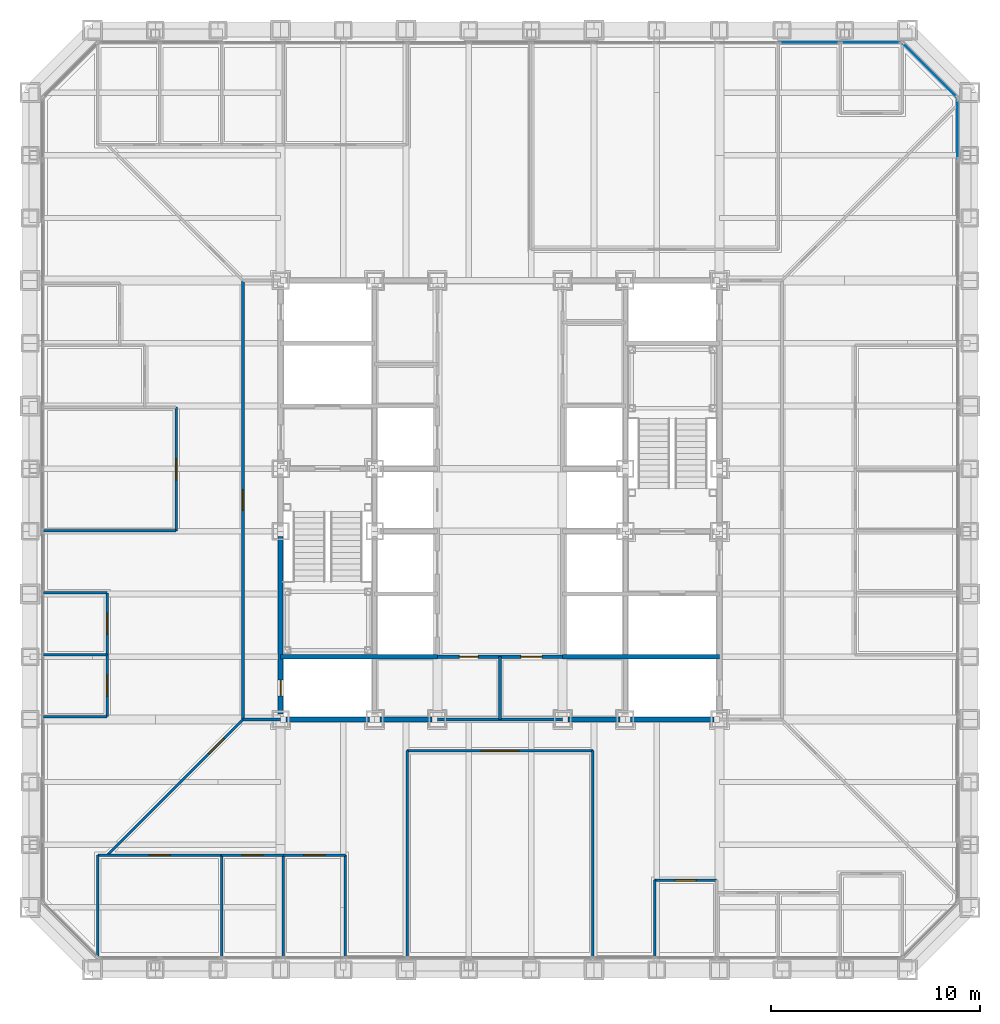
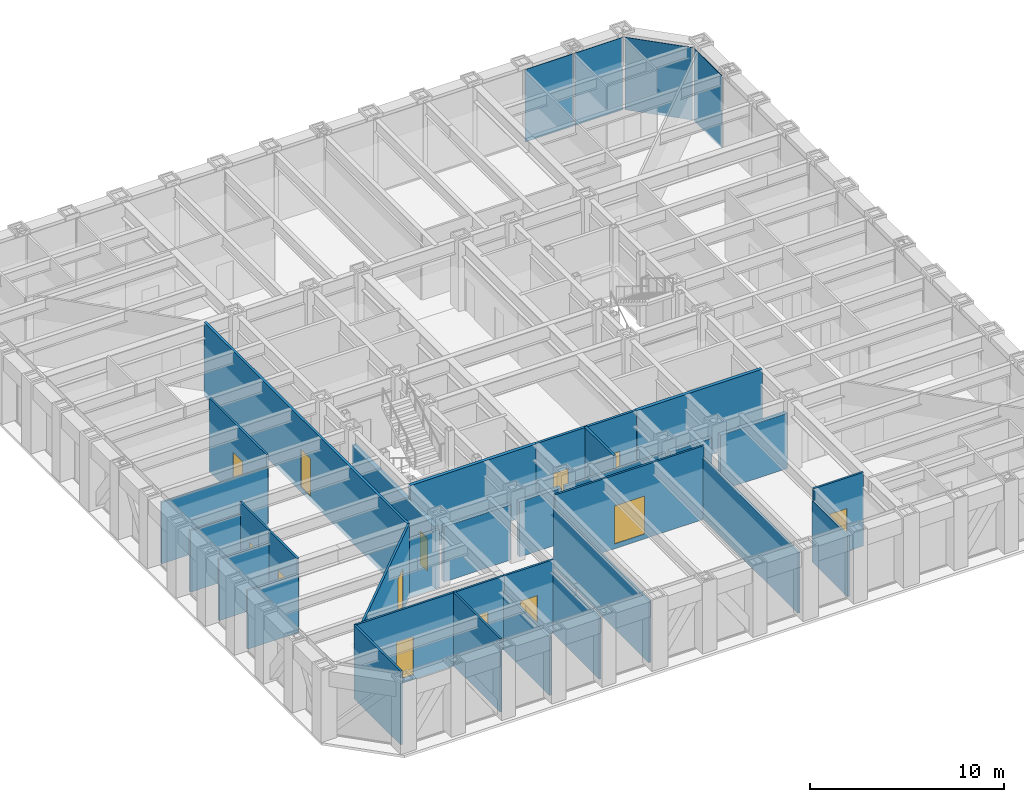
# One storey, part 8 of 17: 32 walls, 13 doors, 4 plates, 13 openings, 3 elements without a shape of their own.
"""IFC4 building model written with IfcOpenShell, lengths in metres."""

from ifc_helpers import new_model, si_unit, direction, frame, frame_2d, origin, origin_2d, place, context, subcontext, project, spatial, rectangle, extrude, material, layer, layer_set, type_object, element, fill, aggregate, save


model = new_model("IFC4")

# Units and contexts
model_context = context("Model", 3, precision=1e-05, world=origin(), true_north=direction((0.0, 1.0)))
body_context = subcontext(model_context, "Body", "Model", "MODEL_VIEW")
ifc_project = project(units=[si_unit("LENGTHUNIT", "METRE"), si_unit("AREAUNIT", "SQUARE_METRE"), si_unit("VOLUMEUNIT", "CUBIC_METRE"), si_unit("PLANEANGLEUNIT", "RADIAN"), si_unit("MASSUNIT", "GRAM", prefix="KILO")], contexts=[model_context])

# Site, building, storey
site_placement = place(None, origin())
site = spatial("IfcSite", under=ifc_project, at=site_placement, CompositionType="ELEMENT")
building_placement = place(site_placement, origin())
building = spatial("IfcBuilding", under=site, at=building_placement, Name="Chuquiago Exchange Tower", CompositionType="ELEMENT")
storey_placement = place(building_placement, frame((0.0, 0.0, 91.800048828125)))
storey = spatial("IfcBuildingStorey", under=building, at=storey_placement, Name="L19", CompositionType="ELEMENT", Elevation=91.800048828125)

# Curtain wall, plate
ifc_material_1 = material(Name="Aluminium curtain wall system", Category="aluminium")
ifc_layer_1 = layer(ifc_material_1, 0.25)
ifc_layer_set_1 = layer_set([ifc_layer_1], Name="CW1 trading floor curtain wall")
curtain_wall_type_1 = type_object("IfcCurtainWallType", Name="CW1 trading floor curtain wall", PredefinedType="NOTDEFINED", material=ifc_layer_set_1)
curtain_wall_1_placement = place(storey_placement, origin())
curtain_wall_1 = element("IfcCurtainWall", 1, at=curtain_wall_1_placement, inside=storey, type_object=curtain_wall_type_1, Name="CW1 curtain wall L19", PredefinedType="NOTDEFINED")
ifc_material_2 = material(Name="Insulated spandrel panel, pale anodised aluminium", Category="aluminium")
ifc_layer_2 = layer(ifc_material_2, 0.031982421875)
ifc_layer_set_2 = layer_set([ifc_layer_2], Name="CW1-P spandrel panel 32")
plate_type_1 = type_object("IfcPlateType", Name="CW1-P spandrel panel 32", PredefinedType="CURTAIN_PANEL", material=ifc_layer_set_2)
plate_1_placement = place(storey_placement, frame((44.39990234375, 40.251953125, -0.22509765625), z_axis=(0.0, 0.0, 1.0), x_axis=(0.0, 1.0, 0.0)))
plate_1 = element("IfcPlate", 2, at=plate_1_placement, type_object=plate_type_1, Name="CW1 panel 13.1", PredefinedType="CURTAIN_PANEL", context=body_context, shape_type="SweptSolid", body=[
    extrude(rectangle(XDim=2.849365234375, YDim=0.031982421875, at=origin_2d()), origin(), (0.0, 0.0, 1.0), 4.56494140625),
])
aggregate(curtain_wall_1, [plate_1])

# Curtain wall, plates
curtain_wall_2_placement = place(storey_placement, origin())
curtain_wall_2 = element("IfcCurtainWall", 3, at=curtain_wall_2_placement, inside=storey, type_object=curtain_wall_type_1, Name="CW1 curtain wall L19", PredefinedType="NOTDEFINED")
plate_2_placement = place(storey_placement, frame((40.251953125, 44.39990234375, -0.22509765625), z_axis=(0.0, 0.0, 1.0), x_axis=(-1.0, 0.0, 0.0)))
plate_2 = element("IfcPlate", 4, at=plate_2_placement, type_object=plate_type_1, Name="CW1 panel 1.1", PredefinedType="CURTAIN_PANEL", context=body_context, shape_type="SweptSolid", body=[
    extrude(rectangle(XDim=2.849365234375, YDim=0.031982421875, at=origin_2d()), origin(), (0.0, 0.0, 1.0), 4.56494140625),
])
plate_3_placement = place(storey_placement, frame((37.308837890625, 44.39990234375, -0.22509765625), z_axis=(0.0, 0.0, 1.0), x_axis=(-1.0, 0.0, 0.0)))
plate_3 = element("IfcPlate", 5, at=plate_3_placement, type_object=plate_type_1, Name="CW1 panel 2.1", PredefinedType="CURTAIN_PANEL", context=body_context, shape_type="SweptSolid", body=[
    extrude(rectangle(XDim=2.88671875, YDim=0.031982421875, at=origin_2d()), origin(), (0.0, 0.0, 1.0), 4.56494140625),
])
aggregate(curtain_wall_2, [plate_2, plate_3])

# Curtain wall, plate
ifc_material_3 = material(Name="Aluminium curtain wall system", Category="aluminium")
ifc_layer_3 = layer(ifc_material_3, 0.199951171875)
ifc_layer_set_3 = layer_set([ifc_layer_3], Name="CW3 facet curtain wall")
curtain_wall_type_2 = type_object("IfcCurtainWallType", Name="CW3 facet curtain wall", PredefinedType="NOTDEFINED", material=ifc_layer_set_3)
curtain_wall_3_placement = place(storey_placement, origin())
curtain_wall_3 = element("IfcCurtainWall", 6, at=curtain_wall_3_placement, inside=storey, type_object=curtain_wall_type_2, Name="CW3 curtain wall L19", PredefinedType="NOTDEFINED")
ifc_material_4 = material(Name="Insulated spandrel panel, pale anodised aluminium", Category="aluminium")
ifc_layer_4 = layer(ifc_material_4, 0.030029296875)
ifc_layer_set_4 = layer_set([ifc_layer_4], Name="CW3-P spandrel panel 30")
plate_type_2 = type_object("IfcPlateType", Name="CW3-P spandrel panel 30", PredefinedType="CURTAIN_PANEL", material=ifc_layer_set_4)
plate_4_placement = place(storey_placement, frame((43.07568359375, 43.07568359375, -0.23486328125), z_axis=(0.0, 0.0, 1.0), x_axis=(-0.707106781187, 0.707106781187, 0.0)))
plate_4 = element("IfcPlate", 7, at=plate_4_placement, type_object=plate_type_2, Name="CW3 panel 1.1", PredefinedType="CURTAIN_PANEL", context=body_context, shape_type="SweptSolid", body=[
    extrude(rectangle(XDim=3.615478515625, YDim=0.030029296875, at=origin_2d()), origin(), (0.0, 0.0, 1.0), 4.574951171875),
])
aggregate(curtain_wall_3, [plate_4])

# Wall, opening, door
ifc_material_5 = material(Name="Concrete masonry, fully grouted", Category="masonry")
ifc_layer_5 = layer(ifc_material_5, 0.25)
ifc_layer_set_5 = layer_set([ifc_layer_5], Name="W1 core wall 250")
wall_type_1 = type_object("IfcWallType", Name="W1 core wall 250", PredefinedType="SOLIDWALL", material=ifc_layer_set_5)
wall_1_placement = place(storey_placement, frame((12.0, 12.25, 0.0), z_axis=(0.0, 0.0, 1.0), x_axis=(0.0, 1.0, 0.0)))
wall_1 = element("IfcWall", 8, at=wall_1_placement, inside=storey, type_object=wall_type_1, Name="CW-L19-00-0", PredefinedType="SOLIDWALL", context=body_context, shape_type="SweptSolid", body=[
    extrude(rectangle(XDim=8.5, YDim=0.25, at=frame_2d((4.25, 0.0))), origin(), (0.0, 0.0, 1.0), 3.412841796875),
])
opening_1_placement = place(wall_1_placement, frame((0.875, 0.0, 0.0)))
opening_1 = element("IfcOpeningElement", 9, at=opening_1_placement, cuts=wall_1, Name="Opening L19-007", PredefinedType="OPENING", context=body_context, shape_type="SweptSolid", body=[
    extrude(rectangle(XDim=0.75, YDim=2.10009765625, at=frame_2d((0.375, 1.050048828125))), frame((0.0, 0.135009765625, 0.0), z_axis=(0.0, -1.0, 0.0), x_axis=(1.0, 0.0, 0.0)), (0.0, 0.0, 1.0), 0.27001953125),
])
ifc_material_6 = material(Name="Steel door, painted", Category="steel")
door_type_1 = type_object("IfcDoorType", Name="D6 riser access door 750x2100", OperationType="SINGLE_SWING_LEFT", PredefinedType="DOOR", material=ifc_material_6)
door_1_placement = place(opening_1_placement, origin())
door_1 = element("IfcDoor", 10, at=door_1_placement, inside=storey, type_object=door_type_1, Name="Riser RW1 door", OperationType="SINGLE_SWING_LEFT", OverallHeight=2.10009765625, OverallWidth=0.75, PredefinedType="DOOR", context=body_context, shape_type="SweptSolid", body=[
    extrude(rectangle(XDim=0.75, YDim=2.10009765625, at=frame_2d((0.375, 1.050048828125))), frame((0.0, 0.02490234375, 0.0), z_axis=(0.0, -1.0, 0.0), x_axis=(1.0, 0.0, 0.0)), (0.0, 0.0, 1.0), 0.050048828125),
])
fill(opening_1, door_1)

# Walls
wall_2_placement = place(storey_placement, frame((12.25, 12.0, 0.0), z_axis=(0.0, 0.0, 1.0), x_axis=(1.0, 0.0, 0.0)))
element("IfcWall", 11, at=wall_2_placement, inside=storey, type_object=wall_type_1, Name="CW-L19-01-0", PredefinedType="SOLIDWALL", context=body_context, shape_type="SweptSolid", body=[
    extrude(rectangle(XDim=4.0, YDim=0.25, at=frame_2d((2.0, 0.0))), origin(), (0.0, 0.0, 1.0), 3.4814453125),
])
for number, where, z_axis, x_axis, name in (
    (12, (16.75, 12.0, 0.0), (0.0, 0.0, 1.0), (1.0, 0.0, 0.0), "CW-L19-01-1"),
    (13, (25.75, 12.0, 0.0), (0.0, 0.0, 1.0), (1.0, 0.0, 0.0), "CW-L19-02-0"),
):
    element("IfcWall", number, at=place(storey_placement, frame(where, z_axis=z_axis, x_axis=x_axis)), inside=storey, type_object=wall_type_1, Name=name, PredefinedType="SOLIDWALL", context=body_context, shape_type="SweptSolid", body=[
        extrude(rectangle(XDim=2.5, YDim=0.25, at=frame_2d((1.25, 0.0))), origin(), (0.0, 0.0, 1.0), 3.4814453125),
    ])
wall_3_placement = place(storey_placement, frame((28.75, 12.0, 0.0), z_axis=(0.0, 0.0, 1.0), x_axis=(1.0, 0.0, 0.0)))
element("IfcWall", 14, at=wall_3_placement, inside=storey, type_object=wall_type_1, Name="CW-L19-02-1", PredefinedType="SOLIDWALL", context=body_context, shape_type="SweptSolid", body=[
    extrude(rectangle(XDim=4.0, YDim=0.25, at=frame_2d((2.0, 0.0))), origin(), (0.0, 0.0, 1.0), 3.4814453125),
])

# Wall, opening, door
ifc_material_7 = material(Name="Gypsum board on steel studs, acoustic insulation", Category="steel")
ifc_layer_6 = layer(ifc_material_7, 0.14990234375)
ifc_layer_set_6 = layer_set([ifc_layer_6], Name="W11 corridor wall 150")
wall_type_2 = type_object("IfcWallType", Name="W11 corridor wall 150", PredefinedType="PARTITIONING", material=ifc_layer_set_6)
wall_4_placement = place(storey_placement, frame((10.199951171875, 12.0, -0.300048828125), z_axis=(0.0, 0.0, 1.0), x_axis=(0.0, 1.0, 0.0)))
wall_4 = element("IfcWall", 15, at=wall_4_placement, inside=storey, type_object=wall_type_2, Name="PW-L19-GW0", PredefinedType="PARTITIONING", context=body_context, shape_type="SweptSolid", body=[
    extrude(rectangle(XDim=21.0, YDim=0.14990234375, at=frame_2d((10.5, 0.0))), origin(), (0.0, 0.0, 1.0), 4.639892578125),
])
opening_2_placement = place(wall_4_placement, frame((10.0, 0.0, 0.300048828125)))
opening_2 = element("IfcOpeningElement", 16, at=opening_2_placement, cuts=wall_4, Name="Opening L19-044", PredefinedType="OPENING", context=body_context, shape_type="SweptSolid", body=[
    extrude(rectangle(XDim=1.0, YDim=2.39990234375, at=frame_2d((0.5, 1.199951171875))), frame((0.0, 0.0849609375, 0.0), z_axis=(0.0, -1.0, 0.0), x_axis=(1.0, 0.0, 0.0)), (0.0, 0.0, 1.0), 0.169921875),
])
ifc_material_8 = material(Name="Timber door, laminate faced", Category="wood")
door_type_2 = type_object("IfcDoorType", Name="D9 room door 1000x2400", OperationType="SINGLE_SWING_LEFT", PredefinedType="DOOR", material=ifc_material_8)
door_2_placement = place(opening_2_placement, origin())
door_2 = element("IfcDoor", 17, at=door_2_placement, inside=storey, type_object=door_type_2, Name="Team area door", OperationType="SINGLE_SWING_LEFT", OverallHeight=2.39990234375, OverallWidth=1.0, PredefinedType="DOOR", context=body_context, shape_type="SweptSolid", body=[
    extrude(rectangle(XDim=1.0, YDim=2.39990234375, at=frame_2d((0.5, 1.199951171875))), frame((0.0, 0.02490234375, 0.0), z_axis=(0.0, -1.0, 0.0), x_axis=(1.0, 0.0, 0.0)), (0.0, 0.0, 1.0), 0.050048828125),
])
fill(opening_2, door_2)

# Walls
wall_5_placement = place(storey_placement, frame((10.199951171875, 12.0, -0.300048828125), z_axis=(0.0, 0.0, 1.0), x_axis=(1.0, 0.0, 0.0)))
element("IfcWall", 18, at=wall_5_placement, inside=storey, type_object=wall_type_2, Name="PW-L19-GWS0", PredefinedType="PARTITIONING", context=body_context, shape_type="SweptSolid", body=[
    extrude(rectangle(XDim=1.800048828125, YDim=0.14990234375, at=frame_2d((0.89990234375, 0.0))), origin(), (0.0, 0.0, 1.0), 3.692626953125),
])
ifc_material_9 = material(Name="Concrete masonry, fully grouted", Category="masonry")
ifc_layer_7 = layer(ifc_material_9, 0.199951171875)
ifc_layer_set_7 = layer_set([ifc_layer_7], Name="W2 shaft wall 200")
wall_type_3 = type_object("IfcWallType", Name="W2 shaft wall 200", PredefinedType="SOLIDWALL", material=ifc_layer_set_7)
for number, where, z_axis, x_axis, name in (
    (19, (12.0, 15.0, 0.0), (0.0, 0.0, 1.0), (1.0, 0.0, 0.0), "CW-L19-03-0"),
    (20, (25.5, 15.0, 0.0), (0.0, 0.0, 1.0), (1.0, 0.0, 0.0), "CW-L19-04-0"),
):
    element("IfcWall", number, at=place(storey_placement, frame(where, z_axis=z_axis, x_axis=x_axis)), inside=storey, type_object=wall_type_3, Name=name, PredefinedType="SOLIDWALL", context=body_context, shape_type="SweptSolid", body=[
        extrude(rectangle(XDim=7.5, YDim=0.199951171875, at=frame_2d((3.75, 0.0))), origin(), (0.0, 0.0, 1.0), 4.33984375),
    ])

# Wall, openings, doors
ifc_material_10 = material(Name="Gypsum board on steel studs", Category="steel")
ifc_layer_8 = layer(ifc_material_10, 0.14990234375)
ifc_layer_set_8 = layer_set([ifc_layer_8], Name="W3 core partition 150")
wall_type_4 = type_object("IfcWallType", Name="W3 core partition 150", PredefinedType="PARTITIONING", material=ifc_layer_set_8)
wall_6_placement = place(storey_placement, frame((19.5, 15.0, 0.0), z_axis=(0.0, 0.0, 1.0), x_axis=(1.0, 0.0, 0.0)))
wall_6 = element("IfcWall", 21, at=wall_6_placement, inside=storey, type_object=wall_type_4, Name="CW-L19-TF", PredefinedType="PARTITIONING", context=body_context, shape_type="SweptSolid", body=[
    extrude(rectangle(XDim=6.0, YDim=0.14990234375, at=frame_2d((3.0, 0.0))), origin(), (0.0, 0.0, 1.0), 4.33984375),
])
opening_3_placement = place(wall_6_placement, frame((4.0, 0.0, 0.0)))
opening_3 = element("IfcOpeningElement", 22, at=opening_3_placement, cuts=wall_6, Name="Opening L19-015", PredefinedType="OPENING", context=body_context, shape_type="SweptSolid", body=[
    extrude(rectangle(XDim=1.0, YDim=2.10009765625, at=frame_2d((0.5, 1.050048828125))), frame((0.0, 0.0849609375, 0.0), z_axis=(0.0, -1.0, 0.0), x_axis=(1.0, 0.0, 0.0)), (0.0, 0.0, 1.0), 0.169921875),
])
opening_4_placement = place(wall_6_placement, frame((1.050048828125, 0.0, 0.0)))
opening_4 = element("IfcOpeningElement", 23, at=opening_4_placement, cuts=wall_6, Name="Opening L19-016", PredefinedType="OPENING", context=body_context, shape_type="SweptSolid", body=[
    extrude(rectangle(XDim=0.89990234375, YDim=2.10009765625, at=frame_2d((0.449951171875, 1.050048828125))), frame((0.0, 0.0849609375, 0.0), z_axis=(0.0, -1.0, 0.0), x_axis=(1.0, 0.0, 0.0)), (0.0, 0.0, 1.0), 0.169921875),
])
ifc_material_11 = material(Name="Timber door, laminate faced", Category="wood")
door_type_3 = type_object("IfcDoorType", Name="D7 toilet door 900x2100", OperationType="SINGLE_SWING_LEFT", PredefinedType="DOOR", material=ifc_material_11)
door_3_placement = place(opening_4_placement, origin())
door_3 = element("IfcDoor", 24, at=door_3_placement, inside=storey, type_object=door_type_3, Name="Cleaner door", OperationType="SINGLE_SWING_LEFT", OverallHeight=2.10009765625, OverallWidth=0.89990234375, PredefinedType="DOOR", context=body_context, shape_type="SweptSolid", body=[
    extrude(rectangle(XDim=0.89990234375, YDim=2.10009765625, at=frame_2d((0.449951171875, 1.050048828125))), frame((0.0, 0.02490234375, 0.0), z_axis=(0.0, -1.0, 0.0), x_axis=(1.0, 0.0, 0.0)), (0.0, 0.0, 1.0), 0.050048828125),
])
fill(opening_4, door_3)
ifc_material_12 = material(Name="Timber door, laminate faced", Category="wood")
door_type_4 = type_object("IfcDoorType", Name="D8 accessible toilet door 1000x2100", OperationType="SLIDING_TO_LEFT", PredefinedType="DOOR", material=ifc_material_12)
door_4_placement = place(opening_3_placement, origin())
door_4 = element("IfcDoor", 25, at=door_4_placement, inside=storey, type_object=door_type_4, Name="Accessible WC door", OperationType="SLIDING_TO_LEFT", OverallHeight=2.10009765625, OverallWidth=1.0, PredefinedType="DOOR", context=body_context, shape_type="SweptSolid", body=[
    extrude(rectangle(XDim=1.0, YDim=2.10009765625, at=frame_2d((0.5, 1.050048828125))), frame((0.0, 0.02490234375, 0.0), z_axis=(0.0, -1.0, 0.0), x_axis=(1.0, 0.0, 0.0)), (0.0, 0.0, 1.0), 0.050048828125),
])
fill(opening_3, door_4)

# Walls
wall_7_placement = place(storey_placement, frame((22.5, 15.0, 0.0), z_axis=(0.0, 0.0, 1.0), x_axis=(0.0, -1.0, 0.0)))
element("IfcWall", 26, at=wall_7_placement, inside=storey, type_object=wall_type_4, Name="CW-L19-TM", PredefinedType="PARTITIONING", context=body_context, shape_type="SweptSolid", body=[
    extrude(rectangle(XDim=3.0, YDim=0.14990234375, at=frame_2d((1.5, 0.0))), origin(), (0.0, 0.0, 1.0), 4.33984375),
])
wall_8_placement = place(storey_placement, frame((19.5, 12.0, 0.0), z_axis=(0.0, 0.0, 1.0), x_axis=(1.0, 0.0, 0.0)))
element("IfcWall", 27, at=wall_8_placement, inside=storey, type_object=wall_type_4, Name="CW-L19-TB", PredefinedType="PARTITIONING", context=body_context, shape_type="SweptSolid", body=[
    extrude(rectangle(XDim=6.0, YDim=0.14990234375, at=frame_2d((3.0, 0.0))), origin(), (0.0, 0.0, 1.0), 3.4814453125),
])
ifc_material_13 = material(Name="Gypsum board on steel studs", Category="steel")
ifc_layer_9 = layer(ifc_material_13, 0.1201171875)
ifc_layer_set_9 = layer_set([ifc_layer_9], Name="W4 partition 120")
wall_type_5 = type_object("IfcWallType", Name="W4 partition 120", PredefinedType="PARTITIONING", material=ifc_layer_set_9)
wall_9_placement = place(storey_placement, frame((3.24853515625, 0.666015625, -0.300048828125), z_axis=(0.0, 0.0, 1.0), x_axis=(0.0, 1.0, 0.0)))
element("IfcWall", 28, at=wall_9_placement, inside=storey, type_object=wall_type_5, Name="PW-L19-S00325", PredefinedType="PARTITIONING", context=body_context, shape_type="SweptSolid", body=[
    extrude(rectangle(XDim=4.833984375, YDim=0.1201171875, at=frame_2d((2.4169921875, 0.0))), origin(), (0.0, 0.0, 1.0), 4.639892578125),
])
wall_10_placement = place(storey_placement, frame((9.172119140625, 0.657470703125, -0.300048828125), z_axis=(0.0, 0.0, 1.0), x_axis=(0.0, 1.0, 0.0)))
element("IfcWall", 29, at=wall_10_placement, inside=storey, type_object=wall_type_5, Name="PW-L19-S00917", PredefinedType="PARTITIONING", context=body_context, shape_type="SweptSolid", body=[
    extrude(rectangle(XDim=4.842529296875, YDim=0.1201171875, at=frame_2d((2.42138671875, 0.0))), origin(), (0.0, 0.0, 1.0), 4.639892578125),
])
wall_11_placement = place(storey_placement, frame((12.1337890625, 0.657470703125, -0.300048828125), z_axis=(0.0, 0.0, 1.0), x_axis=(0.0, 1.0, 0.0)))
element("IfcWall", 30, at=wall_11_placement, inside=storey, type_object=wall_type_5, Name="PW-L19-S01213", PredefinedType="PARTITIONING", context=body_context, shape_type="SweptSolid", body=[
    extrude(rectangle(XDim=4.842529296875, YDim=0.1201171875, at=frame_2d((2.42138671875, 0.0))), origin(), (0.0, 0.0, 1.0), 3.692626953125),
])
wall_12_placement = place(storey_placement, frame((15.095703125, 0.657470703125, -0.300048828125), z_axis=(0.0, 0.0, 1.0), x_axis=(0.0, 1.0, 0.0)))
element("IfcWall", 31, at=wall_12_placement, inside=storey, type_object=wall_type_5, Name="PW-L19-S01510", PredefinedType="PARTITIONING", context=body_context, shape_type="SweptSolid", body=[
    extrude(rectangle(XDim=4.842529296875, YDim=0.1201171875, at=frame_2d((2.42138671875, 0.0))), origin(), (0.0, 0.0, 1.0), 3.8779296875),
])
for number, where, z_axis, x_axis, name in (
    (32, (18.057373046875, 0.657470703125, -0.300048828125), (0.0, 0.0, 1.0), (0.0, 1.0, 0.0), "PW-L19-S01806"),
    (33, (26.942626953125, 0.657470703125, -0.300048828125), (0.0, 0.0, 1.0), (0.0, 1.0, 0.0), "PW-L19-S02694"),
):
    element("IfcWall", number, at=place(storey_placement, frame(where, z_axis=z_axis, x_axis=x_axis)), inside=storey, type_object=wall_type_5, Name=name, PredefinedType="PARTITIONING", context=body_context, shape_type="SweptSolid", body=[
        extrude(rectangle(XDim=9.842529296875, YDim=0.1201171875, at=frame_2d((4.92138671875, 0.0))), origin(), (0.0, 0.0, 1.0), 3.8779296875),
    ])
wall_13_placement = place(storey_placement, frame((29.904296875, 0.657470703125, -0.300048828125), z_axis=(0.0, 0.0, 1.0), x_axis=(0.0, 1.0, 0.0)))
element("IfcWall", 34, at=wall_13_placement, inside=storey, type_object=wall_type_5, Name="PW-L19-S02990", PredefinedType="PARTITIONING", context=body_context, shape_type="SweptSolid", body=[
    extrude(rectangle(XDim=3.642578125, YDim=0.1201171875, at=frame_2d((1.8212890625, 0.0))), origin(), (0.0, 0.0, 1.0), 3.8779296875),
])

# Wall, opening, door
wall_14_placement = place(storey_placement, frame((3.24853515625, 5.5, -0.300048828125), z_axis=(0.0, 0.0, 1.0), x_axis=(1.0, 0.0, 0.0)))
wall_14 = element("IfcWall", 35, at=wall_14_placement, inside=storey, type_object=wall_type_5, Name="PW-L19-SF00325", PredefinedType="PARTITIONING", context=body_context, shape_type="SweptSolid", body=[
    extrude(rectangle(XDim=5.923583984375, YDim=0.1201171875, at=frame_2d((2.9619140625, 0.0))), origin(), (0.0, 0.0, 1.0), 4.639892578125),
])
opening_5_placement = place(wall_14_placement, frame((2.4619140625, 0.0, 0.300048828125)))
opening_5 = element("IfcOpeningElement", 36, at=opening_5_placement, cuts=wall_14, Name="Opening L19-021", PredefinedType="OPENING", context=body_context, shape_type="SweptSolid", body=[
    extrude(rectangle(XDim=1.0, YDim=2.39990234375, at=frame_2d((0.5, 1.199951171875))), frame((0.0, 0.070068359375, 0.0), z_axis=(0.0, -1.0, 0.0), x_axis=(1.0, 0.0, 0.0)), (0.0, 0.0, 1.0), 0.14013671875),
])
ifc_material_14 = material(Name="Timber frame door, full height glazed panel", Category="wood")
door_type_5 = type_object("IfcDoorType", Name="D14 glazed meeting room door 1000x2400", OperationType="SINGLE_SWING_LEFT", PredefinedType="DOOR", material=ifc_material_14)
door_5_placement = place(opening_5_placement, frame((1.0, 0.0, 0.0), z_axis=(0.0, 0.0, 1.0), x_axis=(-1.0, 0.0, 0.0)))
door_5 = element("IfcDoor", 37, at=door_5_placement, inside=storey, type_object=door_type_5, Name="Meeting room door", OperationType="SINGLE_SWING_RIGHT", OverallHeight=2.39990234375, OverallWidth=1.0, PredefinedType="DOOR", context=body_context, shape_type="SweptSolid", body=[
    extrude(rectangle(XDim=1.0, YDim=2.39990234375, at=frame_2d((0.5, 1.199951171875))), frame((0.0, 0.02490234375, 0.0), z_axis=(0.0, -1.0, 0.0), x_axis=(1.0, 0.0, 0.0)), (0.0, 0.0, 1.0), 0.050048828125),
])
fill(opening_5, door_5)

wall_15_placement = place(storey_placement, frame((9.172119140625, 5.5, -0.300048828125), z_axis=(0.0, 0.0, 1.0), x_axis=(1.0, 0.0, 0.0)))
wall_15 = element("IfcWall", 38, at=wall_15_placement, inside=storey, type_object=wall_type_5, Name="PW-L19-SF00917", PredefinedType="PARTITIONING", context=body_context, shape_type="SweptSolid", body=[
    extrude(rectangle(XDim=2.961669921875, YDim=0.1201171875, at=frame_2d((1.48095703125, 0.0))), origin(), (0.0, 0.0, 1.0), 4.639892578125),
])
opening_6_placement = place(wall_15_placement, frame((0.98095703125, 0.0, 0.300048828125)))
opening_6 = element("IfcOpeningElement", 39, at=opening_6_placement, cuts=wall_15, Name="Opening L19-022", PredefinedType="OPENING", context=body_context, shape_type="SweptSolid", body=[
    extrude(rectangle(XDim=1.0, YDim=2.39990234375, at=frame_2d((0.5, 1.199951171875))), frame((0.0, 0.070068359375, 0.0), z_axis=(0.0, -1.0, 0.0), x_axis=(1.0, 0.0, 0.0)), (0.0, 0.0, 1.0), 0.14013671875),
])
door_6_placement = place(opening_6_placement, frame((1.0, 0.0, 0.0), z_axis=(0.0, 0.0, 1.0), x_axis=(-1.0, 0.0, 0.0)))
door_6 = element("IfcDoor", 40, at=door_6_placement, inside=storey, type_object=door_type_2, Name="Office door", OperationType="SINGLE_SWING_LEFT", OverallHeight=2.39990234375, OverallWidth=1.0, PredefinedType="DOOR", context=body_context, shape_type="SweptSolid", body=[
    extrude(rectangle(XDim=1.0, YDim=2.39990234375, at=frame_2d((0.5, 1.199951171875))), frame((0.0, 0.02490234375, 0.0), z_axis=(0.0, -1.0, 0.0), x_axis=(1.0, 0.0, 0.0)), (0.0, 0.0, 1.0), 0.050048828125),
])
fill(opening_6, door_6)

wall_16_placement = place(storey_placement, frame((12.1337890625, 5.5, -0.300048828125), z_axis=(0.0, 0.0, 1.0), x_axis=(1.0, 0.0, 0.0)))
wall_16 = element("IfcWall", 41, at=wall_16_placement, inside=storey, type_object=wall_type_5, Name="PW-L19-SF01213", PredefinedType="PARTITIONING", context=body_context, shape_type="SweptSolid", body=[
    extrude(rectangle(XDim=2.9619140625, YDim=0.1201171875, at=frame_2d((1.48095703125, 0.0))), origin(), (0.0, 0.0, 1.0), 4.639892578125),
])
opening_7_placement = place(wall_16_placement, frame((0.98095703125, 0.0, 0.300048828125)))
opening_7 = element("IfcOpeningElement", 42, at=opening_7_placement, cuts=wall_16, Name="Opening L19-023", PredefinedType="OPENING", context=body_context, shape_type="SweptSolid", body=[
    extrude(rectangle(XDim=1.0, YDim=2.39990234375, at=frame_2d((0.5, 1.199951171875))), frame((0.0, 0.070068359375, 0.0), z_axis=(0.0, -1.0, 0.0), x_axis=(1.0, 0.0, 0.0)), (0.0, 0.0, 1.0), 0.14013671875),
])
door_7_placement = place(opening_7_placement, frame((1.0, 0.0, 0.0), z_axis=(0.0, 0.0, 1.0), x_axis=(-1.0, 0.0, 0.0)))
door_7 = element("IfcDoor", 43, at=door_7_placement, inside=storey, type_object=door_type_2, Name="Office door", OperationType="SINGLE_SWING_LEFT", OverallHeight=2.39990234375, OverallWidth=1.0, PredefinedType="DOOR", context=body_context, shape_type="SweptSolid", body=[
    extrude(rectangle(XDim=1.0, YDim=2.39990234375, at=frame_2d((0.5, 1.199951171875))), frame((0.0, 0.02490234375, 0.0), z_axis=(0.0, -1.0, 0.0), x_axis=(1.0, 0.0, 0.0)), (0.0, 0.0, 1.0), 0.050048828125),
])
fill(opening_7, door_7)

wall_17_placement = place(storey_placement, frame((18.057373046875, 10.5, -0.300048828125), z_axis=(0.0, 0.0, 1.0), x_axis=(1.0, 0.0, 0.0)))
wall_17 = element("IfcWall", 44, at=wall_17_placement, inside=storey, type_object=wall_type_5, Name="PW-L19-SF01806", PredefinedType="PARTITIONING", context=body_context, shape_type="SweptSolid", body=[
    extrude(rectangle(XDim=8.88525390625, YDim=0.1201171875, at=frame_2d((4.442626953125, 0.0))), origin(), (0.0, 0.0, 1.0), 4.639892578125),
])
opening_8_placement = place(wall_17_placement, frame((3.54248046875, 0.0, 0.300048828125)))
opening_8 = element("IfcOpeningElement", 45, at=opening_8_placement, cuts=wall_17, Name="Opening L19-024", PredefinedType="OPENING", context=body_context, shape_type="SweptSolid", body=[
    extrude(rectangle(XDim=1.800048828125, YDim=2.39990234375, at=frame_2d((0.89990234375, 1.199951171875))), frame((0.0, 0.070068359375, 0.0), z_axis=(0.0, -1.0, 0.0), x_axis=(1.0, 0.0, 0.0)), (0.0, 0.0, 1.0), 0.14013671875),
])
ifc_material_15 = material(Name="Timber door pair, laminate faced", Category="wood")
door_type_6 = type_object("IfcDoorType", Name="D15 double room door 1800x2400", OperationType="DOUBLE_DOOR_DOUBLE_SWING", PredefinedType="DOOR", material=ifc_material_15)
door_8_placement = place(opening_8_placement, origin())
door_8 = element("IfcDoor", 46, at=door_8_placement, inside=storey, type_object=door_type_6, Name="Trading room door", OperationType="DOUBLE_DOOR_DOUBLE_SWING", OverallHeight=2.39990234375, OverallWidth=1.800048828125, PredefinedType="DOOR", context=body_context, shape_type="SweptSolid", body=[
    extrude(rectangle(XDim=1.800048828125, YDim=2.39990234375, at=frame_2d((0.89990234375, 1.199951171875))), frame((0.0, 0.02490234375, 0.0), z_axis=(0.0, -1.0, 0.0), x_axis=(1.0, 0.0, 0.0)), (0.0, 0.0, 1.0), 0.050048828125),
])
fill(opening_8, door_8)

wall_18_placement = place(storey_placement, frame((29.904296875, 4.300048828125, -0.300048828125), z_axis=(0.0, 0.0, 1.0), x_axis=(1.0, 0.0, 0.0)))
wall_18 = element("IfcWall", 47, at=wall_18_placement, inside=storey, type_object=wall_type_5, Name="PW-L19-SF02990", PredefinedType="PARTITIONING", context=body_context, shape_type="SweptSolid", body=[
    extrude(rectangle(XDim=2.9619140625, YDim=0.1201171875, at=frame_2d((1.48095703125, 0.0))), origin(), (0.0, 0.0, 1.0), 4.639892578125),
])
opening_9_placement = place(wall_18_placement, frame((0.98095703125, 0.0, 0.300048828125)))
opening_9 = element("IfcOpeningElement", 48, at=opening_9_placement, cuts=wall_18, Name="Opening L19-025", PredefinedType="OPENING", context=body_context, shape_type="SweptSolid", body=[
    extrude(rectangle(XDim=1.0, YDim=2.39990234375, at=frame_2d((0.5, 1.199951171875))), frame((0.0, 0.070068359375, 0.0), z_axis=(0.0, -1.0, 0.0), x_axis=(1.0, 0.0, 0.0)), (0.0, 0.0, 1.0), 0.14013671875),
])
door_9_placement = place(opening_9_placement, frame((1.0, 0.0, 0.0), z_axis=(0.0, 0.0, 1.0), x_axis=(-1.0, 0.0, 0.0)))
door_9 = element("IfcDoor", 49, at=door_9_placement, inside=storey, type_object=door_type_2, Name="Pantry door", OperationType="SINGLE_SWING_RIGHT", OverallHeight=2.39990234375, OverallWidth=1.0, PredefinedType="DOOR", context=body_context, shape_type="SweptSolid", body=[
    extrude(rectangle(XDim=1.0, YDim=2.39990234375, at=frame_2d((0.5, 1.199951171875))), frame((0.0, 0.02490234375, 0.0), z_axis=(0.0, -1.0, 0.0), x_axis=(1.0, 0.0, 0.0)), (0.0, 0.0, 1.0), 0.050048828125),
])
fill(opening_9, door_9)

# Walls
wall_19_placement = place(storey_placement, frame((0.657470703125, 12.1337890625, -0.300048828125), z_axis=(0.0, 0.0, 1.0), x_axis=(1.0, 0.0, 0.0)))
element("IfcWall", 50, at=wall_19_placement, inside=storey, type_object=wall_type_5, Name="PW-L19-W01213", PredefinedType="PARTITIONING", context=body_context, shape_type="SweptSolid", body=[
    extrude(rectangle(XDim=3.04248046875, YDim=0.1201171875, at=frame_2d((1.521240234375, 0.0))), origin(), (0.0, 0.0, 1.0), 3.692626953125),
])
for number, where, z_axis, x_axis, name in (
    (51, (0.657470703125, 15.095703125, -0.300048828125), (0.0, 0.0, 1.0), (1.0, 0.0, 0.0), "PW-L19-W01510"),
    (52, (0.657470703125, 18.057373046875, -0.300048828125), (0.0, 0.0, 1.0), (1.0, 0.0, 0.0), "PW-L19-W01806"),
):
    element("IfcWall", number, at=place(storey_placement, frame(where, z_axis=z_axis, x_axis=x_axis)), inside=storey, type_object=wall_type_5, Name=name, PredefinedType="PARTITIONING", context=body_context, shape_type="SweptSolid", body=[
        extrude(rectangle(XDim=3.04248046875, YDim=0.1201171875, at=frame_2d((1.521240234375, 0.0))), origin(), (0.0, 0.0, 1.0), 3.8779296875),
    ])
wall_20_placement = place(storey_placement, frame((0.657470703125, 21.01904296875, -0.300048828125), z_axis=(0.0, 0.0, 1.0), x_axis=(1.0, 0.0, 0.0)))
element("IfcWall", 53, at=wall_20_placement, inside=storey, type_object=wall_type_5, Name="PW-L19-W02102", PredefinedType="PARTITIONING", context=body_context, shape_type="SweptSolid", body=[
    extrude(rectangle(XDim=6.342529296875, YDim=0.1201171875, at=frame_2d((3.17138671875, 0.0))), origin(), (0.0, 0.0, 1.0), 3.8779296875),
])

# Wall, opening, door
wall_21_placement = place(storey_placement, frame((3.699951171875, 12.1337890625, -0.300048828125), z_axis=(0.0, 0.0, 1.0), x_axis=(0.0, 1.0, 0.0)))
wall_21 = element("IfcWall", 54, at=wall_21_placement, inside=storey, type_object=wall_type_5, Name="PW-L19-WF01213", PredefinedType="PARTITIONING", context=body_context, shape_type="SweptSolid", body=[
    extrude(rectangle(XDim=2.9619140625, YDim=0.1201171875, at=frame_2d((1.48095703125, 0.0))), origin(), (0.0, 0.0, 1.0), 4.639892578125),
])
opening_10_placement = place(wall_21_placement, frame((0.98095703125, 0.0, 0.300048828125)))
opening_10 = element("IfcOpeningElement", 55, at=opening_10_placement, cuts=wall_21, Name="Opening L19-039", PredefinedType="OPENING", context=body_context, shape_type="SweptSolid", body=[
    extrude(rectangle(XDim=1.0, YDim=2.39990234375, at=frame_2d((0.5, 1.199951171875))), frame((0.0, 0.070068359375, 0.0), z_axis=(0.0, -1.0, 0.0), x_axis=(1.0, 0.0, 0.0)), (0.0, 0.0, 1.0), 0.14013671875),
])
door_10_placement = place(opening_10_placement, origin())
door_10 = element("IfcDoor", 56, at=door_10_placement, inside=storey, type_object=door_type_5, Name="Focus room door", OperationType="SINGLE_SWING_RIGHT", OverallHeight=2.39990234375, OverallWidth=1.0, PredefinedType="DOOR", context=body_context, shape_type="SweptSolid", body=[
    extrude(rectangle(XDim=1.0, YDim=2.39990234375, at=frame_2d((0.5, 1.199951171875))), frame((0.0, 0.02490234375, 0.0), z_axis=(0.0, -1.0, 0.0), x_axis=(1.0, 0.0, 0.0)), (0.0, 0.0, 1.0), 0.050048828125),
])
fill(opening_10, door_10)

wall_22_placement = place(storey_placement, frame((3.699951171875, 15.095703125, -0.300048828125), z_axis=(0.0, 0.0, 1.0), x_axis=(0.0, 1.0, 0.0)))
wall_22 = element("IfcWall", 57, at=wall_22_placement, inside=storey, type_object=wall_type_5, Name="PW-L19-WF01510", PredefinedType="PARTITIONING", context=body_context, shape_type="SweptSolid", body=[
    extrude(rectangle(XDim=2.961669921875, YDim=0.1201171875, at=frame_2d((1.48095703125, 0.0))), origin(), (0.0, 0.0, 1.0), 4.639892578125),
])
opening_11_placement = place(wall_22_placement, frame((0.98095703125, 0.0, 0.300048828125)))
opening_11 = element("IfcOpeningElement", 58, at=opening_11_placement, cuts=wall_22, Name="Opening L19-040", PredefinedType="OPENING", context=body_context, shape_type="SweptSolid", body=[
    extrude(rectangle(XDim=1.0, YDim=2.39990234375, at=frame_2d((0.5, 1.199951171875))), frame((0.0, 0.070068359375, 0.0), z_axis=(0.0, -1.0, 0.0), x_axis=(1.0, 0.0, 0.0)), (0.0, 0.0, 1.0), 0.14013671875),
])
door_11_placement = place(opening_11_placement, origin())
door_11 = element("IfcDoor", 59, at=door_11_placement, inside=storey, type_object=door_type_5, Name="Focus room door", OperationType="SINGLE_SWING_LEFT", OverallHeight=2.39990234375, OverallWidth=1.0, PredefinedType="DOOR", context=body_context, shape_type="SweptSolid", body=[
    extrude(rectangle(XDim=1.0, YDim=2.39990234375, at=frame_2d((0.5, 1.199951171875))), frame((0.0, 0.02490234375, 0.0), z_axis=(0.0, -1.0, 0.0), x_axis=(1.0, 0.0, 0.0)), (0.0, 0.0, 1.0), 0.050048828125),
])
fill(opening_11, door_11)

wall_23_placement = place(storey_placement, frame((7.0, 21.01904296875, -0.300048828125), z_axis=(0.0, 0.0, 1.0), x_axis=(0.0, 1.0, 0.0)))
wall_23 = element("IfcWall", 60, at=wall_23_placement, inside=storey, type_object=wall_type_5, Name="PW-L19-WF02102", PredefinedType="PARTITIONING", context=body_context, shape_type="SweptSolid", body=[
    extrude(rectangle(XDim=5.923583984375, YDim=0.1201171875, at=frame_2d((2.9619140625, 0.0))), origin(), (0.0, 0.0, 1.0), 4.639892578125),
])
opening_12_placement = place(wall_23_placement, frame((2.461669921875, 0.0, 0.300048828125)))
opening_12 = element("IfcOpeningElement", 61, at=opening_12_placement, cuts=wall_23, Name="Opening L19-041", PredefinedType="OPENING", context=body_context, shape_type="SweptSolid", body=[
    extrude(rectangle(XDim=1.0, YDim=2.39990234375, at=frame_2d((0.5, 1.199951171875))), frame((0.0, 0.070068359375, 0.0), z_axis=(0.0, -1.0, 0.0), x_axis=(1.0, 0.0, 0.0)), (0.0, 0.0, 1.0), 0.14013671875),
])
door_12_placement = place(opening_12_placement, origin())
door_12 = element("IfcDoor", 62, at=door_12_placement, inside=storey, type_object=door_type_2, Name="Risk management office door", OperationType="SINGLE_SWING_LEFT", OverallHeight=2.39990234375, OverallWidth=1.0, PredefinedType="DOOR", context=body_context, shape_type="SweptSolid", body=[
    extrude(rectangle(XDim=1.0, YDim=2.39990234375, at=frame_2d((0.5, 1.199951171875))), frame((0.0, 0.02490234375, 0.0), z_axis=(0.0, -1.0, 0.0), x_axis=(1.0, 0.0, 0.0)), (0.0, 0.0, 1.0), 0.050048828125),
])
fill(opening_12, door_12)

wall_24_placement = place(storey_placement, frame((10.199951171875, 12.0, -0.300048828125), z_axis=(0.0, 0.0, 1.0), x_axis=(-0.707106781187, -0.707106781187, 0.0)))
wall_24 = element("IfcWall", 63, at=wall_24_placement, inside=storey, type_object=wall_type_5, Name="PW-L19-QSW", PredefinedType="PARTITIONING", context=body_context, shape_type="SweptSolid", body=[
    extrude(rectangle(XDim=9.19384765625, YDim=0.1201171875, at=frame_2d((4.596923828125, 0.0))), origin(), (0.0, 0.0, 1.0), 4.639892578125),
])
opening_13_placement = place(wall_24_placement, frame((1.300048828125, 0.0, 0.300048828125)))
opening_13 = element("IfcOpeningElement", 64, at=opening_13_placement, cuts=wall_24, Name="Opening L19-050", PredefinedType="OPENING", context=body_context, shape_type="SweptSolid", body=[
    extrude(rectangle(XDim=1.0, YDim=2.39990234375, at=frame_2d((0.5, 1.199951171875))), frame((0.0, 0.070068359375, 0.0), z_axis=(0.0, -1.0, 0.0), x_axis=(1.0, 0.0, 0.0)), (0.0, 0.0, 1.0), 0.14013671875),
])
door_13_placement = place(opening_13_placement, origin())
door_13 = element("IfcDoor", 65, at=door_13_placement, inside=storey, type_object=door_type_2, Name="Team area door", OperationType="SINGLE_SWING_LEFT", OverallHeight=2.39990234375, OverallWidth=1.0, PredefinedType="DOOR", context=body_context, shape_type="SweptSolid", body=[
    extrude(rectangle(XDim=1.0, YDim=2.39990234375, at=frame_2d((0.5, 1.199951171875))), frame((0.0, 0.02490234375, 0.0), z_axis=(0.0, -1.0, 0.0), x_axis=(1.0, 0.0, 0.0)), (0.0, 0.0, 1.0), 0.050048828125),
])
fill(opening_13, door_13)

save(model, "model.ifc")
